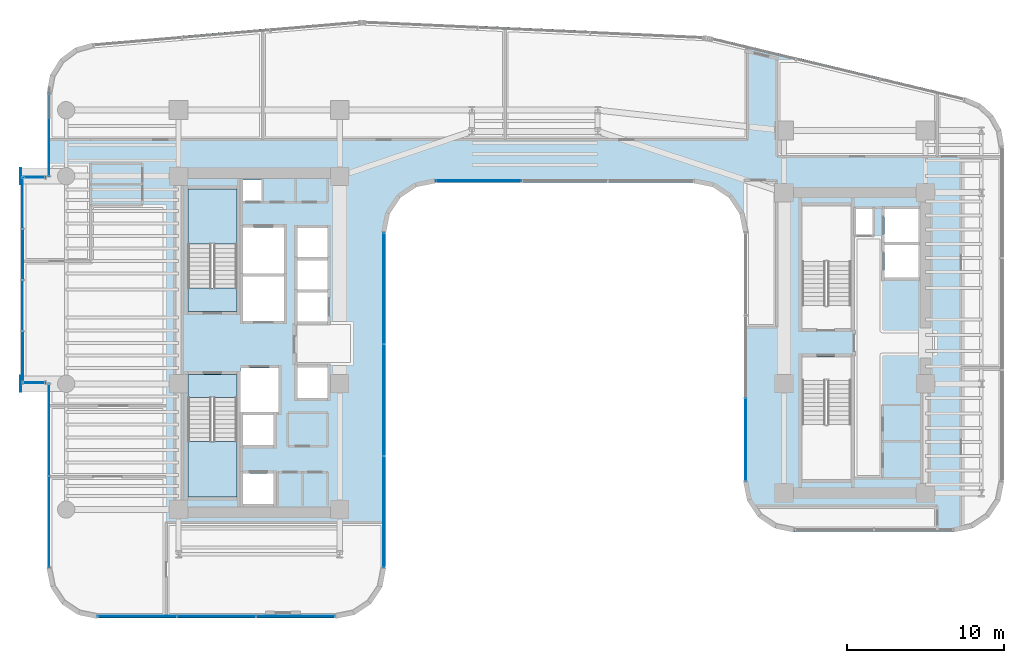
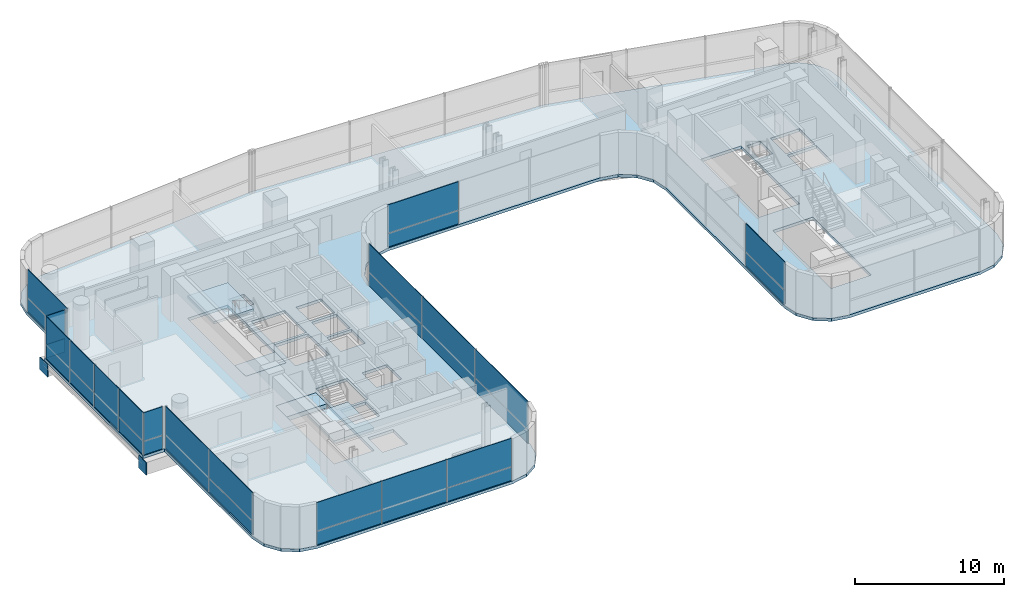
# One storey, part 24 of 34: 31 plates, 5 slabs, 11 elements without a shape of their own.
"""IFC4 building model written with IfcOpenShell, lengths in metres."""

from ifc_helpers import new_model, si_unit, direction, frame, origin, origin_2d, place, context, subcontext, project, spatial, polyline, rectangle, outline, extrude, source, transform, mapped, material, layer, layer_set, type_object, element, aggregate, save


model = new_model("IFC4")

# Units and contexts
model_context = context("Model", 3, precision=1e-05, world=origin(), true_north=direction((0.0, 1.0)))
body_context = subcontext(model_context, "Body", "Model", "MODEL_VIEW")
ifc_project = project(units=[si_unit("LENGTHUNIT", "METRE"), si_unit("AREAUNIT", "SQUARE_METRE"), si_unit("VOLUMEUNIT", "CUBIC_METRE"), si_unit("PLANEANGLEUNIT", "RADIAN"), si_unit("MASSUNIT", "GRAM", prefix="KILO")], contexts=[model_context])

# Site, building, storey
site_placement = place(None, origin())
site = spatial("IfcSite", under=ifc_project, at=site_placement, CompositionType="ELEMENT")
building_placement = place(site_placement, origin())
building = spatial("IfcBuilding", under=site, at=building_placement, Name="Valdorenza Pilgrim Sanctuary Tower", CompositionType="ELEMENT")
storey_placement = place(building_placement, frame((0.0, 0.0, 146.39990234375)))
storey = spatial("IfcBuildingStorey", under=building, at=storey_placement, Name="L37", CompositionType="ELEMENT", Elevation=146.39990234375)

# Slab
ifc_material_1 = material(Name="Concrete C40/50", Category="concrete")
ifc_layer_1 = layer(ifc_material_1, 0.239990234375, Name="Concrete C40/50")
ifc_layer_set_1 = layer_set([ifc_layer_1], Name="Concrete C40/50")
slab_type_1 = type_object("IfcSlabType", Name="SLAB-FLR-220", PredefinedType="FLOOR", material=ifc_layer_set_1)
slab_1_placement = place(storey_placement, frame((0.0, 0.0, -0.239990234375)))
element("IfcSlab", 1, at=slab_1_placement, inside=storey, type_object=slab_type_1, Name="L37 Structural Floor Slab 1", PredefinedType="FLOOR", context=body_context, shape_type="SweptSolid", body=[
    extrude(outline(polyline([(-30.78173828125, 17.022216796875), (-30.156494140625, 18.025390625), (-29.2099609375, 18.733154296875), (-28.071044921875, 19.049072265625), (-11.2080078125, 20.482421875), (-11.10400390625, 20.489501953125), (-10.895751953125, 20.49365234375), (10.6962890625, 19.513916015625), (10.847412109375, 19.50341796875), (10.998046875, 19.485595703125), (11.147705078125, 19.4609375), (11.2958984375, 19.42919921875), (27.344970703125, 15.587646484375), (28.323974609375, 15.17138671875), (29.1123046875, 14.45751953125), (29.623291015625, 13.5244140625), (29.800048828125, 12.4755859375), (29.800048828125, -8.800048828125), (29.556396484375, -10.024658203125), (28.86279296875, -11.062744140625), (27.82470703125, -11.75634765625), (26.60009765625, -12.0), (16.5, -12.0), (15.275390625, -11.75634765625), (14.2373046875, -11.062744140625), (13.543701171875, -10.024658203125), (13.300048828125, -8.800048828125), (13.300048828125, 7.0), (13.056396484375, 8.224609375), (12.36279296875, 9.2626953125), (11.32470703125, 9.956298828125), (10.10009765625, 10.199951171875), (-6.300048828125, 10.199951171875), (-7.524658203125, 9.956298828125), (-8.562744140625, 9.2626953125), (-9.25634765625, 8.224609375), (-9.5, 7.0), (-9.5, -14.300048828125), (-9.74365234375, -15.524658203125), (-10.437255859375, -16.562744140625), (-11.475341796875, -17.25634765625), (-12.699951171875, -17.5), (-27.800048828125, -17.5), (-29.024658203125, -17.25634765625), (-30.062744140625, -16.562744140625), (-30.75634765625, -15.524658203125), (-31.0, -14.300048828125), (-31.0, -2.60009765625), (-32.64990234375, -2.60009765625), (-32.64990234375, 10.60009765625), (-31.0, 10.60009765625), (-31.0, 15.860595703125), (-30.78173828125, 17.022216796875)]), holes=[polyline([(-16.60009765625, -10.25), (-16.60009765625, -8.300048828125), (-18.550048828125, -8.300048828125), (-18.550048828125, -10.25), (-16.60009765625, -10.25)]), polyline([(-22.050048828125, -9.800048828125), (-18.93994140625, -9.800048828125), (-18.93994140625, -3.485107421875), (-18.93994140625, -2.0), (-22.050048828125, -2.0), (-22.050048828125, -3.485107421875), (-22.050048828125, -9.800048828125)]), polyline([(-16.60009765625, -6.5), (-16.60009765625, -4.60009765625), (-18.550048828125, -4.60009765625), (-18.550048828125, -6.5), (-16.60009765625, -6.5)]), polyline([(-18.719970703125, -4.39990234375), (-16.300048828125, -4.39990234375), (-16.300048828125, -1.60009765625), (-18.719970703125, -1.60009765625), (-18.719970703125, -4.39990234375)]), polyline([(-13.179931640625, 1.35009765625), (-13.179931640625, 3.199951171875), (-15.10009765625, 3.199951171875), (-15.10009765625, 1.35009765625), (-13.179931640625, 1.35009765625)]), polyline([(-22.050048828125, 2.0), (-18.93994140625, 2.0), (-18.93994140625, 3.485107421875), (-18.93994140625, 9.800048828125), (-22.050048828125, 9.800048828125), (-22.050048828125, 3.485107421875), (-22.050048828125, 2.0)]), polyline([(-15.949951171875, 1.39990234375), (-15.949951171875, 4.22509765625), (-18.550048828125, 4.22509765625), (-18.550048828125, 1.39990234375), (-15.949951171875, 1.39990234375)]), polyline([(-18.550048828125, 4.425048828125), (-15.949951171875, 4.425048828125), (-15.949951171875, 7.35009765625), (-18.550048828125, 7.35009765625), (-18.550048828125, 4.425048828125)]), polyline([(-17.360107421875, 9.030029296875), (-17.360107421875, 10.35009765625), (-18.570068359375, 10.35009765625), (-18.570068359375, 9.030029296875), (-17.360107421875, 9.030029296875)]), polyline([(17.0, -8.699951171875), (20.110107421875, -8.699951171875), (20.110107421875, -2.385009765625), (20.110107421875, -0.89990234375), (17.0, -0.89990234375), (17.0, -2.385009765625), (17.0, -8.699951171875)]), polyline([(-13.179931640625, -3.5), (-13.179931640625, -1.550048828125), (-15.10009765625, -1.550048828125), (-15.10009765625, -3.5), (-13.179931640625, -3.5)]), polyline([(17.0, 0.89990234375), (20.110107421875, 0.89990234375), (20.110107421875, 2.385009765625), (20.110107421875, 8.699951171875), (17.0, 8.699951171875), (17.0, 2.385009765625), (17.0, 0.89990234375)]), polyline([(-13.179931640625, 3.39990234375), (-13.179931640625, 5.25), (-15.10009765625, 5.25), (-15.10009765625, 3.39990234375), (-13.179931640625, 3.39990234375)]), polyline([(22.25, 4.14990234375), (24.47998046875, 4.14990234375), (24.47998046875, 6.22509765625), (22.25, 6.22509765625), (22.25, 4.14990234375)]), polyline([(-13.179931640625, 5.449951171875), (-13.179931640625, 7.300048828125), (-15.10009765625, 7.300048828125), (-15.10009765625, 5.449951171875), (-13.179931640625, 5.449951171875)]), polyline([(22.25, 6.425048828125), (24.47998046875, 6.425048828125), (24.47998046875, 8.5), (22.25, 8.5), (22.25, 6.425048828125)]), polyline([(20.409912109375, 6.860107421875), (21.489990234375, 6.860107421875), (21.489990234375, 8.52001953125), (20.409912109375, 8.52001953125), (20.409912109375, 6.860107421875)])]), origin(), (0.0, 0.0, 1.0), 0.239990234375),
])

# Stair, slab
stair_type = type_object("IfcStairType", Name="STR-DOG-CORE", PredefinedType="HALF_TURN_STAIR", material=ifc_material_1)
stair_1_placement = place(storey_placement, origin())
stair_1 = element("IfcStair", 2, at=stair_1_placement, inside=storey, type_object=stair_type, Name="L37 ST-A1", PredefinedType="HALF_TURN_STAIR")
ifc_layer_2 = layer(ifc_material_1, 0.199951171875, Name="Concrete C40/50")
ifc_layer_set_2 = layer_set([ifc_layer_2], Name="Concrete C40/50")
slab_type_2 = type_object("IfcSlabType", Name="SLAB-STL-200", PredefinedType="LANDING", material=ifc_layer_set_2)
slab_2_placement = place(storey_placement, frame((0.0, 0.0, 1.650146484375)))
slab_2 = element("IfcSlab", 3, at=slab_2_placement, type_object=slab_type_2, Name="ST-A1 landing 1", PredefinedType="LANDING", context=body_context, shape_type="SweptSolid", body=[
    extrude(outline(polyline([(-18.93994140625, 6.280029296875), (-18.93994140625, 9.800048828125), (-22.050048828125, 9.800048828125), (-22.050048828125, 6.280029296875), (-18.93994140625, 6.280029296875)])), origin(), (0.0, 0.0, 1.0), 0.199951171875),
])
aggregate(stair_1, [slab_2])

stair_2_placement = place(storey_placement, origin())
stair_2 = element("IfcStair", 4, at=stair_2_placement, inside=storey, type_object=stair_type, Name="L37 ST-A2", PredefinedType="HALF_TURN_STAIR")
slab_3_placement = place(storey_placement, frame((0.0, 0.0, 1.650146484375)))
slab_3 = element("IfcSlab", 5, at=slab_3_placement, type_object=slab_type_2, Name="ST-A2 landing 1", PredefinedType="LANDING", context=body_context, shape_type="SweptSolid", body=[
    extrude(outline(polyline([(-22.050048828125, -6.280029296875), (-22.050048828125, -9.800048828125), (-18.93994140625, -9.800048828125), (-18.93994140625, -6.280029296875), (-22.050048828125, -6.280029296875)])), origin(), (0.0, 0.0, 1.0), 0.199951171875),
])
aggregate(stair_2, [slab_3])

# Slabs
ifc_material_2 = material(Name="Concrete C50/60", Category="concrete")
ifc_layer_3 = layer(ifc_material_2, 0.39990234375, Name="Concrete C50/60")
ifc_layer_set_3 = layer_set([ifc_layer_3], Name="Concrete C50/60")
slab_type_3 = type_object("IfcSlabType", Name="SLAB-TRF-400", PredefinedType="FLOOR", material=ifc_layer_set_3)
slab_4_placement = place(storey_placement, frame((0.0, 0.0, -0.35986328125)))
element("IfcSlab", 6, at=slab_4_placement, inside=storey, type_object=slab_type_3, Name="L37 ST-A1 Structural Stair Landing Bearing Slab", PredefinedType="FLOOR", context=body_context, shape_type="SweptSolid", body=[
    extrude(outline(polyline([(-22.050048828125, 2.0), (-18.93994140625, 2.0), (-18.93994140625, 3.485107421875), (-22.050048828125, 3.485107421875), (-22.050048828125, 2.0)])), origin(), (0.0, 0.0, 1.0), 0.35986328125),
])
slab_5_placement = place(storey_placement, frame((0.0, 0.0, -0.35986328125)))
element("IfcSlab", 7, at=slab_5_placement, inside=storey, type_object=slab_type_3, Name="L37 ST-A2 Structural Stair Landing Bearing Slab", PredefinedType="FLOOR", context=body_context, shape_type="SweptSolid", body=[
    extrude(outline(polyline([(-22.050048828125, -3.485107421875), (-18.93994140625, -3.485107421875), (-18.93994140625, -2.0), (-22.050048828125, -2.0), (-22.050048828125, -3.485107421875)])), origin(), (0.0, 0.0, 1.0), 0.35986328125),
])

# Plates
ifc_material_3 = material(Name="Steel ASTM A572 Grade 42", Category="steel")
ifc_layer_4 = layer(ifc_material_3, 0.06005859375, Name="Steel ASTM A572 Grade 42")
ifc_layer_set_4 = layer_set([ifc_layer_4], Name="Steel ASTM A572 Grade 42")
plate_type_1 = type_object("IfcPlateType", Name="PLT-CAP-60", PredefinedType="SHEET", material=ifc_layer_set_4)
shared_shape_1 = source(origin(), body_context, "Body", "SweptSolid", [
    extrude(rectangle(XDim=0.06005859375, YDim=1.0400390625, at=origin_2d()), origin(), (0.0, 0.0, 1.0), 1.0400390625),
])
for number, where, z_axis, x_axis, name in (
    (8, (-32.679931640625, 10.60009765625, -1.260009765625), (0.0, 0.0, 1.0), (1.0, 0.0, 0.0), "L37 BOX-WA-L37 Cantilever Tip End Cap N"),
    (9, (-32.679931640625, -2.60009765625, -1.260009765625), (0.0, 0.0, 1.0), (1.0, 0.0, 0.0), "L37 BOX-WA-L37 Cantilever Tip End Cap S"),
):
    element("IfcPlate", number, at=place(storey_placement, frame(where, z_axis=z_axis, x_axis=x_axis)), inside=storey, type_object=plate_type_1, Name=name, PredefinedType="SHEET", context=body_context, shape_type="MappedRepresentation", body=[
        mapped(shared_shape_1, transform((0.0, 0.0, 0.0), x_axis=(1.0, 0.0, 0.0), y_axis=(0.0, 1.0, 0.0), z_axis=(0.0, 0.0, 1.0), scale=1.0)),
    ])

# Curtain wall, plates
ifc_material_4 = material(Name="Curtain-wall IGU glazing", Category="glass")
curtain_wall_type_1 = type_object("IfcCurtainWallType", Name="CW-SYS-02", PredefinedType="NOTDEFINED", material=ifc_material_4)
curtain_wall_1_placement = place(storey_placement, origin())
curtain_wall_1 = element("IfcCurtainWall", 10, at=curtain_wall_1_placement, inside=storey, type_object=curtain_wall_type_1, Name="L37 Curtain Wall CW-L37-1-36", PredefinedType="NOTDEFINED")
ifc_material_5 = material(Name="Honed travertine limestone", Category="masonry")
ifc_layer_5 = layer(ifc_material_5, 0.050048828125, Name="Honed travertine limestone")
ifc_layer_set_5 = layer_set([ifc_layer_5], Name="Honed travertine limestone")
plate_type_2 = type_object("IfcPlateType", Name="CW-SPN-TRV", PredefinedType="USERDEFINED", material=ifc_layer_set_5)
shared_shape_2 = source(origin(), body_context, "Body", "SweptSolid", [
    extrude(rectangle(XDim=5.453857421875, YDim=0.06005859375, at=origin_2d()), origin(), (0.0, 0.0, 1.0), 1.10009765625),
])
plate_1_placement = place(storey_placement, frame((-3.573974609375, 10.31005859375, 0.010009765625), z_axis=(0.0, 0.0, 1.0), x_axis=(-1.0, 0.0, 0.0)))
plate_1 = element("IfcPlate", 11, at=plate_1_placement, type_object=plate_type_2, Name="CW-L37-1-36 Travertine Spandrel 3", ObjectType="SPANDREL", PredefinedType="USERDEFINED", context=body_context, shape_type="MappedRepresentation", body=[
    mapped(shared_shape_2, transform((0.0, 0.0, 0.0), x_axis=(1.0, 0.0, 0.0), y_axis=(0.0, 1.0, 0.0), z_axis=(0.0, 0.0, 1.0), scale=1.0)),
])
ifc_material_6 = material(Name="Ceramic-fritted low-E IGU glazing", Category="glass")
ifc_layer_6 = layer(ifc_material_6, 0.035888671875, Name="Ceramic-fritted low-E IGU glazing")
ifc_layer_set_6 = layer_set([ifc_layer_6], Name="Ceramic-fritted low-E IGU glazing")
plate_type_3 = type_object("IfcPlateType", Name="CW-GLZ-IGU", PredefinedType="USERDEFINED", material=ifc_layer_set_6)
shared_shape_3 = source(origin(), body_context, "Body", "SweptSolid", [
    extrude(rectangle(XDim=5.453857421875, YDim=0.050048828125, at=origin_2d()), origin(), (0.0, 0.0, 1.0), 2.320068359375),
])
plate_2_placement = place(storey_placement, frame((-3.573974609375, 10.31005859375, 1.1298828125), z_axis=(0.0, 0.0, 1.0), x_axis=(-1.0, 0.0, 0.0)))
plate_2 = element("IfcPlate", 12, at=plate_2_placement, type_object=plate_type_3, Name="CW-L37-1-36 Facade Panel 3", ObjectType="GLAZING", PredefinedType="USERDEFINED", context=body_context, shape_type="MappedRepresentation", body=[
    mapped(shared_shape_3, transform((0.0, 0.0, 0.0), x_axis=(1.0, 0.0, 0.0), y_axis=(0.0, 1.0, 0.0), z_axis=(0.0, 0.0, 1.0), scale=1.0)),
])
aggregate(curtain_wall_1, [plate_1, plate_2])

# Curtain wall, plate
curtain_wall_2_placement = place(storey_placement, origin())
curtain_wall_2 = element("IfcCurtainWall", 13, at=curtain_wall_2_placement, inside=storey, type_object=curtain_wall_type_1, Name="L37 Curtain Wall CW-L37-BOX-WA-L37-S", PredefinedType="NOTDEFINED")
shared_shape_4 = source(origin(), body_context, "Body", "SweptSolid", [
    extrude(rectangle(XDim=1.43994140625, YDim=0.06005859375, at=origin_2d()), origin(), (0.0, 0.0, 1.0), 1.10009765625),
])
plate_3_placement = place(storey_placement, frame((-31.840087890625, -2.52001953125, 0.010009765625), z_axis=(0.0, 0.0, 1.0), x_axis=(-1.0, 0.0, 0.0)))
plate_3 = element("IfcPlate", 14, at=plate_3_placement, type_object=plate_type_2, Name="CW-L37-BOX-WA-L37-S Travertine Spandrel 1", ObjectType="SPANDREL", PredefinedType="USERDEFINED", context=body_context, shape_type="MappedRepresentation", body=[
    mapped(shared_shape_4, transform((0.0, 0.0, 0.0), x_axis=(1.0, 0.0, 0.0), y_axis=(0.0, 1.0, 0.0), z_axis=(0.0, 0.0, 1.0), scale=1.0)),
])

curtain_wall_3_placement = place(storey_placement, origin())
curtain_wall_3 = element("IfcCurtainWall", 15, at=curtain_wall_3_placement, inside=storey, type_object=curtain_wall_type_1, Name="L37 Curtain Wall CW-L37-BOX-WA-L37-N", PredefinedType="NOTDEFINED")
plate_4_placement = place(storey_placement, frame((-31.840087890625, 10.52001953125, 0.010009765625), z_axis=(0.0, 0.0, 1.0), x_axis=(1.0, 0.0, 0.0)))
plate_4 = element("IfcPlate", 16, at=plate_4_placement, type_object=plate_type_2, Name="CW-L37-BOX-WA-L37-N Travertine Spandrel 1", ObjectType="SPANDREL", PredefinedType="USERDEFINED", context=body_context, shape_type="MappedRepresentation", body=[
    mapped(shared_shape_4, transform((0.0, 0.0, 0.0), x_axis=(1.0, 0.0, 0.0), y_axis=(0.0, 1.0, 0.0), z_axis=(0.0, 0.0, 1.0), scale=1.0)),
])

# Plate
shared_shape_5 = source(origin(), body_context, "Body", "SweptSolid", [
    extrude(rectangle(XDim=1.43994140625, YDim=0.050048828125, at=origin_2d()), origin(), (0.0, 0.0, 1.0), 2.320068359375),
])
plate_5_placement = place(storey_placement, frame((-31.840087890625, -2.52001953125, 1.1298828125), z_axis=(0.0, 0.0, 1.0), x_axis=(-1.0, 0.0, 0.0)))
plate_5 = element("IfcPlate", 17, at=plate_5_placement, type_object=plate_type_3, Name="CW-L37-BOX-WA-L37-S Facade Panel 1", ObjectType="GLAZING", PredefinedType="USERDEFINED", context=body_context, shape_type="MappedRepresentation", body=[
    mapped(shared_shape_5, transform((0.0, 0.0, 0.0), x_axis=(1.0, 0.0, 0.0), y_axis=(0.0, 1.0, 0.0), z_axis=(0.0, 0.0, 1.0), scale=1.0)),
])

aggregate(curtain_wall_2, [plate_3, plate_5])

plate_6_placement = place(storey_placement, frame((-31.840087890625, 10.52001953125, 1.1298828125), z_axis=(0.0, 0.0, 1.0), x_axis=(1.0, 0.0, 0.0)))
plate_6 = element("IfcPlate", 18, at=plate_6_placement, type_object=plate_type_3, Name="CW-L37-BOX-WA-L37-N Facade Panel 1", ObjectType="GLAZING", PredefinedType="USERDEFINED", context=body_context, shape_type="MappedRepresentation", body=[
    mapped(shared_shape_5, transform((0.0, 0.0, 0.0), x_axis=(1.0, 0.0, 0.0), y_axis=(0.0, 1.0, 0.0), z_axis=(0.0, 0.0, 1.0), scale=1.0)),
])

aggregate(curtain_wall_3, [plate_4, plate_6])

# Curtain wall, plates
curtain_wall_4_placement = place(storey_placement, origin())
curtain_wall_4 = element("IfcCurtainWall", 19, at=curtain_wall_4_placement, inside=storey, type_object=curtain_wall_type_1, Name="L37 Curtain Wall CW-L37-BOX-WA-L37-F", PredefinedType="NOTDEFINED")
shared_shape_6 = source(origin(), body_context, "Body", "SweptSolid", [
    extrude(rectangle(XDim=3.239990234375, YDim=0.06005859375, at=origin_2d()), origin(), (0.0, 0.0, 1.0), 1.10009765625),
])
plate_7_placement = place(storey_placement, frame((-32.570068359375, -0.889892578125, 0.010009765625), z_axis=(0.0, 0.0, 1.0), x_axis=(0.0, 1.0, 0.0)))
plate_7 = element("IfcPlate", 20, at=plate_7_placement, type_object=plate_type_2, Name="CW-L37-BOX-WA-L37-F Travertine Spandrel 1", ObjectType="SPANDREL", PredefinedType="USERDEFINED", context=body_context, shape_type="MappedRepresentation", body=[
    mapped(shared_shape_6, transform((0.0, 0.0, 0.0), x_axis=(1.0, 0.0, 0.0), y_axis=(0.0, 1.0, 0.0), z_axis=(0.0, 0.0, 1.0), scale=1.0)),
])
plate_8_placement = place(storey_placement, frame((-32.570068359375, 5.6298828125, 0.010009765625), z_axis=(0.0, 0.0, 1.0), x_axis=(0.0, 1.0, 0.0)))
plate_8 = element("IfcPlate", 21, at=plate_8_placement, type_object=plate_type_2, Name="CW-L37-BOX-WA-L37-F Travertine Spandrel 3", ObjectType="SPANDREL", PredefinedType="USERDEFINED", context=body_context, shape_type="MappedRepresentation", body=[
    mapped(shared_shape_6, transform((0.0, 0.0, 0.0), x_axis=(1.0, 0.0, 0.0), y_axis=(0.0, 1.0, 0.0), z_axis=(0.0, 0.0, 1.0), scale=1.0)),
])
shared_shape_7 = source(origin(), body_context, "Body", "SweptSolid", [
    extrude(rectangle(XDim=3.239990234375, YDim=0.050048828125, at=origin_2d()), origin(), (0.0, 0.0, 1.0), 2.320068359375),
])
plate_9_placement = place(storey_placement, frame((-32.570068359375, -0.889892578125, 1.1298828125), z_axis=(0.0, 0.0, 1.0), x_axis=(0.0, 1.0, 0.0)))
plate_9 = element("IfcPlate", 22, at=plate_9_placement, type_object=plate_type_3, Name="CW-L37-BOX-WA-L37-F Facade Panel 1", ObjectType="GLAZING", PredefinedType="USERDEFINED", context=body_context, shape_type="MappedRepresentation", body=[
    mapped(shared_shape_7, transform((0.0, 0.0, 0.0), x_axis=(1.0, 0.0, 0.0), y_axis=(0.0, 1.0, 0.0), z_axis=(0.0, 0.0, 1.0), scale=1.0)),
])
plate_10_placement = place(storey_placement, frame((-32.570068359375, 5.6298828125, 1.1298828125), z_axis=(0.0, 0.0, 1.0), x_axis=(0.0, 1.0, 0.0)))
plate_10 = element("IfcPlate", 23, at=plate_10_placement, type_object=plate_type_3, Name="CW-L37-BOX-WA-L37-F Facade Panel 3", ObjectType="GLAZING", PredefinedType="USERDEFINED", context=body_context, shape_type="MappedRepresentation", body=[
    mapped(shared_shape_7, transform((0.0, 0.0, 0.0), x_axis=(1.0, 0.0, 0.0), y_axis=(0.0, 1.0, 0.0), z_axis=(0.0, 0.0, 1.0), scale=1.0)),
])
shared_shape_8 = source(origin(), body_context, "Body", "SweptSolid", [
    extrude(rectangle(XDim=3.239990234375, YDim=0.050048828125, at=origin_2d()), origin(), (0.0, 0.0, 1.0), 3.43994140625),
])
plate_11_placement = place(storey_placement, frame((-32.570068359375, 2.3701171875, 0.010009765625), z_axis=(0.0, 0.0, 1.0), x_axis=(0.0, 1.0, 0.0)))
plate_11 = element("IfcPlate", 24, at=plate_11_placement, type_object=plate_type_3, Name="CW-L37-BOX-WA-L37-F Full-Height Facade Panel 2", ObjectType="GLAZING", PredefinedType="USERDEFINED", context=body_context, shape_type="MappedRepresentation", body=[
    mapped(shared_shape_8, transform((0.0, 0.0, 0.0), x_axis=(1.0, 0.0, 0.0), y_axis=(0.0, 1.0, 0.0), z_axis=(0.0, 0.0, 1.0), scale=1.0)),
])
plate_12_placement = place(storey_placement, frame((-32.570068359375, 8.889892578125, 0.010009765625), z_axis=(0.0, 0.0, 1.0), x_axis=(0.0, 1.0, 0.0)))
plate_12 = element("IfcPlate", 25, at=plate_12_placement, type_object=plate_type_3, Name="CW-L37-BOX-WA-L37-F Full-Height Facade Panel 4", ObjectType="GLAZING", PredefinedType="USERDEFINED", context=body_context, shape_type="MappedRepresentation", body=[
    mapped(shared_shape_8, transform((0.0, 0.0, 0.0), x_axis=(1.0, 0.0, 0.0), y_axis=(0.0, 1.0, 0.0), z_axis=(0.0, 0.0, 1.0), scale=1.0)),
])
aggregate(curtain_wall_4, [plate_7, plate_9, plate_11, plate_8, plate_10, plate_12])

# Curtain wall, plate
curtain_wall_type_2 = type_object("IfcCurtainWallType", Name="CW-SYS-03", PredefinedType="NOTDEFINED", material=ifc_material_4)
curtain_wall_5_placement = place(storey_placement, origin())
curtain_wall_5 = element("IfcCurtainWall", 26, at=curtain_wall_5_placement, inside=storey, type_object=curtain_wall_type_2, Name="L37 Curtain Wall CW-L37-1-31", PredefinedType="NOTDEFINED")
shared_shape_9 = source(origin(), body_context, "Body", "SweptSolid", [
    extrude(rectangle(XDim=5.24658203125, YDim=0.06005859375, at=origin_2d()), origin(), (0.0, 0.0, 1.0), 1.10009765625),
])
plate_13_placement = place(storey_placement, frame((13.409912109375, -6.156005859375, 0.010009765625), z_axis=(0.0, 0.0, 1.0), x_axis=(0.0, 1.0, 0.0)))
plate_13 = element("IfcPlate", 27, at=plate_13_placement, type_object=plate_type_2, Name="CW-L37-1-31 Travertine Spandrel 1", ObjectType="SPANDREL", PredefinedType="USERDEFINED", context=body_context, shape_type="MappedRepresentation", body=[
    mapped(shared_shape_9, transform((0.0, 0.0, 0.0), x_axis=(1.0, 0.0, 0.0), y_axis=(0.0, 1.0, 0.0), z_axis=(0.0, 0.0, 1.0), scale=1.0)),
])

# Curtain wall, plates
curtain_wall_6_placement = place(storey_placement, origin())
curtain_wall_6 = element("IfcCurtainWall", 28, at=curtain_wall_6_placement, inside=storey, type_object=curtain_wall_type_1, Name="L37 Curtain Wall CW-L37-1-41", PredefinedType="NOTDEFINED")
shared_shape_10 = source(origin(), body_context, "Body", "SweptSolid", [
    extrude(rectangle(XDim=7.080078125, YDim=0.06005859375, at=origin_2d()), origin(), (0.0, 0.0, 1.0), 1.10009765625),
])
plate_14_placement = place(storey_placement, frame((-9.610107421875, 3.460693359375, 0.010009765625), z_axis=(0.0, 0.0, 1.0), x_axis=(0.0, -1.0, 0.0)))
plate_14 = element("IfcPlate", 29, at=plate_14_placement, type_object=plate_type_2, Name="CW-L37-1-41 Travertine Spandrel 1", ObjectType="SPANDREL", PredefinedType="USERDEFINED", context=body_context, shape_type="MappedRepresentation", body=[
    mapped(shared_shape_10, transform((0.0, 0.0, 0.0), x_axis=(1.0, 0.0, 0.0), y_axis=(0.0, 1.0, 0.0), z_axis=(0.0, 0.0, 1.0), scale=1.0)),
])
plate_15_placement = place(storey_placement, frame((-9.610107421875, -10.7392578125, 0.010009765625), z_axis=(0.0, 0.0, 1.0), x_axis=(0.0, -1.0, 0.0)))
plate_15 = element("IfcPlate", 30, at=plate_15_placement, type_object=plate_type_2, Name="CW-L37-1-41 Travertine Spandrel 3", ObjectType="SPANDREL", PredefinedType="USERDEFINED", context=body_context, shape_type="MappedRepresentation", body=[
    mapped(shared_shape_10, transform((0.0, 0.0, 0.0), x_axis=(1.0, 0.0, 0.0), y_axis=(0.0, 1.0, 0.0), z_axis=(0.0, 0.0, 1.0), scale=1.0)),
])

curtain_wall_7_placement = place(storey_placement, origin())
curtain_wall_7 = element("IfcCurtainWall", 31, at=curtain_wall_7_placement, inside=storey, type_object=curtain_wall_type_1, Name="L37 Curtain Wall CW-L37-1-1S1", PredefinedType="NOTDEFINED")
shared_shape_11 = source(origin(), body_context, "Body", "SweptSolid", [
    extrude(rectangle(XDim=5.82470703125, YDim=0.06005859375, at=origin_2d()), origin(), (0.0, 0.0, 1.0), 1.10009765625),
])
plate_16_placement = place(storey_placement, frame((-30.889892578125, -11.366943359375, 0.010009765625), z_axis=(0.0, 0.0, 1.0), x_axis=(0.0, 1.0, 0.0)))
plate_16 = element("IfcPlate", 32, at=plate_16_placement, type_object=plate_type_2, Name="CW-L37-1-1S1 Travertine Spandrel 1", ObjectType="SPANDREL", PredefinedType="USERDEFINED", context=body_context, shape_type="MappedRepresentation", body=[
    mapped(shared_shape_11, transform((0.0, 0.0, 0.0), x_axis=(1.0, 0.0, 0.0), y_axis=(0.0, 1.0, 0.0), z_axis=(0.0, 0.0, 1.0), scale=1.0)),
])
shared_shape_12 = source(origin(), body_context, "Body", "SweptSolid", [
    extrude(rectangle(XDim=5.82470703125, YDim=0.050048828125, at=origin_2d()), origin(), (0.0, 0.0, 1.0), 2.320068359375),
])
plate_17_placement = place(storey_placement, frame((-30.889892578125, -11.366943359375, 1.1298828125), z_axis=(0.0, 0.0, 1.0), x_axis=(0.0, 1.0, 0.0)))
plate_17 = element("IfcPlate", 33, at=plate_17_placement, type_object=plate_type_3, Name="CW-L37-1-1S1 Facade Panel 1", ObjectType="GLAZING", PredefinedType="USERDEFINED", context=body_context, shape_type="MappedRepresentation", body=[
    mapped(shared_shape_12, transform((0.0, 0.0, 0.0), x_axis=(1.0, 0.0, 0.0), y_axis=(0.0, 1.0, 0.0), z_axis=(0.0, 0.0, 1.0), scale=1.0)),
])
shared_shape_13 = source(origin(), body_context, "Body", "SweptSolid", [
    extrude(rectangle(XDim=5.82470703125, YDim=0.050048828125, at=origin_2d()), origin(), (0.0, 0.0, 1.0), 3.43994140625),
])
plate_18_placement = place(storey_placement, frame((-30.889892578125, -5.522216796875, 0.010009765625), z_axis=(0.0, 0.0, 1.0), x_axis=(0.0, 1.0, 0.0)))
plate_18 = element("IfcPlate", 34, at=plate_18_placement, type_object=plate_type_3, Name="CW-L37-1-1S1 Full-Height Facade Panel 2", ObjectType="GLAZING", PredefinedType="USERDEFINED", context=body_context, shape_type="MappedRepresentation", body=[
    mapped(shared_shape_13, transform((0.0, 0.0, 0.0), x_axis=(1.0, 0.0, 0.0), y_axis=(0.0, 1.0, 0.0), z_axis=(0.0, 0.0, 1.0), scale=1.0)),
])
aggregate(curtain_wall_7, [plate_16, plate_17, plate_18])

curtain_wall_8_placement = place(storey_placement, origin())
curtain_wall_8 = element("IfcCurtainWall", 35, at=curtain_wall_8_placement, inside=storey, type_object=curtain_wall_type_1, Name="L37 Curtain Wall CW-L37-1-1S2", PredefinedType="NOTDEFINED")
shared_shape_14 = source(origin(), body_context, "Body", "SweptSolid", [
    extrude(rectangle(XDim=5.230224609375, YDim=0.06005859375, at=origin_2d()), origin(), (0.0, 0.0, 1.0), 1.10009765625),
])
plate_19_placement = place(storey_placement, frame((-30.889892578125, 13.22509765625, 0.010009765625), z_axis=(0.0, 0.0, 1.0), x_axis=(0.0, 1.0, 0.0)))
plate_19 = element("IfcPlate", 36, at=plate_19_placement, type_object=plate_type_2, Name="CW-L37-1-1S2 Travertine Spandrel 1", ObjectType="SPANDREL", PredefinedType="USERDEFINED", context=body_context, shape_type="MappedRepresentation", body=[
    mapped(shared_shape_14, transform((0.0, 0.0, 0.0), x_axis=(1.0, 0.0, 0.0), y_axis=(0.0, 1.0, 0.0), z_axis=(0.0, 0.0, 1.0), scale=1.0)),
])
shared_shape_15 = source(origin(), body_context, "Body", "SweptSolid", [
    extrude(rectangle(XDim=5.230224609375, YDim=0.050048828125, at=origin_2d()), origin(), (0.0, 0.0, 1.0), 2.320068359375),
])
plate_20_placement = place(storey_placement, frame((-30.889892578125, 13.22509765625, 1.1298828125), z_axis=(0.0, 0.0, 1.0), x_axis=(0.0, 1.0, 0.0)))
plate_20 = element("IfcPlate", 37, at=plate_20_placement, type_object=plate_type_3, Name="CW-L37-1-1S2 Facade Panel 1", ObjectType="GLAZING", PredefinedType="USERDEFINED", context=body_context, shape_type="MappedRepresentation", body=[
    mapped(shared_shape_15, transform((0.0, 0.0, 0.0), x_axis=(1.0, 0.0, 0.0), y_axis=(0.0, 1.0, 0.0), z_axis=(0.0, 0.0, 1.0), scale=1.0)),
])
aggregate(curtain_wall_8, [plate_19, plate_20])

# Plate
shared_shape_16 = source(origin(), body_context, "Body", "SweptSolid", [
    extrude(rectangle(XDim=5.24658203125, YDim=0.050048828125, at=origin_2d()), origin(), (0.0, 0.0, 1.0), 2.320068359375),
])
plate_21_placement = place(storey_placement, frame((13.409912109375, -6.156005859375, 1.1298828125), z_axis=(0.0, 0.0, 1.0), x_axis=(0.0, 1.0, 0.0)))
plate_21 = element("IfcPlate", 38, at=plate_21_placement, type_object=plate_type_3, Name="CW-L37-1-31 Facade Panel 1", ObjectType="GLAZING", PredefinedType="USERDEFINED", context=body_context, shape_type="MappedRepresentation", body=[
    mapped(shared_shape_16, transform((0.0, 0.0, 0.0), x_axis=(1.0, 0.0, 0.0), y_axis=(0.0, 1.0, 0.0), z_axis=(0.0, 0.0, 1.0), scale=1.0)),
])

aggregate(curtain_wall_5, [plate_13, plate_21])

shared_shape_17 = source(origin(), body_context, "Body", "SweptSolid", [
    extrude(rectangle(XDim=7.080078125, YDim=0.050048828125, at=origin_2d()), origin(), (0.0, 0.0, 1.0), 2.320068359375),
])
plate_22_placement = place(storey_placement, frame((-9.610107421875, 3.460693359375, 1.1298828125), z_axis=(0.0, 0.0, 1.0), x_axis=(0.0, -1.0, 0.0)))
plate_22 = element("IfcPlate", 39, at=plate_22_placement, type_object=plate_type_3, Name="CW-L37-1-41 Facade Panel 1", ObjectType="GLAZING", PredefinedType="USERDEFINED", context=body_context, shape_type="MappedRepresentation", body=[
    mapped(shared_shape_17, transform((0.0, 0.0, 0.0), x_axis=(1.0, 0.0, 0.0), y_axis=(0.0, 1.0, 0.0), z_axis=(0.0, 0.0, 1.0), scale=1.0)),
])

plate_23_placement = place(storey_placement, frame((-9.610107421875, -10.7392578125, 1.1298828125), z_axis=(0.0, 0.0, 1.0), x_axis=(0.0, -1.0, 0.0)))
plate_23 = element("IfcPlate", 40, at=plate_23_placement, type_object=plate_type_3, Name="CW-L37-1-41 Facade Panel 3", ObjectType="GLAZING", PredefinedType="USERDEFINED", context=body_context, shape_type="MappedRepresentation", body=[
    mapped(shared_shape_17, transform((0.0, 0.0, 0.0), x_axis=(1.0, 0.0, 0.0), y_axis=(0.0, 1.0, 0.0), z_axis=(0.0, 0.0, 1.0), scale=1.0)),
])

shared_shape_18 = source(origin(), body_context, "Body", "SweptSolid", [
    extrude(rectangle(XDim=7.080078125, YDim=0.050048828125, at=origin_2d()), origin(), (0.0, 0.0, 1.0), 3.43994140625),
])
plate_24_placement = place(storey_placement, frame((-9.610107421875, -3.63916015625, 0.010009765625), z_axis=(0.0, 0.0, 1.0), x_axis=(0.0, -1.0, 0.0)))
plate_24 = element("IfcPlate", 41, at=plate_24_placement, type_object=plate_type_3, Name="CW-L37-1-41 Full-Height Facade Panel 2", ObjectType="GLAZING", PredefinedType="USERDEFINED", context=body_context, shape_type="MappedRepresentation", body=[
    mapped(shared_shape_18, transform((0.0, 0.0, 0.0), x_axis=(1.0, 0.0, 0.0), y_axis=(0.0, 1.0, 0.0), z_axis=(0.0, 0.0, 1.0), scale=1.0)),
])

aggregate(curtain_wall_6, [plate_14, plate_22, plate_24, plate_15, plate_23])

# Curtain wall, plates
curtain_wall_9_placement = place(storey_placement, origin())
curtain_wall_9 = element("IfcCurtainWall", 42, at=curtain_wall_9_placement, inside=storey, type_object=curtain_wall_type_1, Name="L37 Curtain Wall CW-L37-1-46", PredefinedType="NOTDEFINED")
shared_shape_19 = source(origin(), body_context, "Body", "SweptSolid", [
    extrude(rectangle(XDim=5.006103515625, YDim=0.06005859375, at=origin_2d()), origin(), (0.0, 0.0, 1.0), 1.10009765625),
])
plate_25_placement = place(storey_placement, frame((-15.223876953125, -17.389892578125, 0.010009765625), z_axis=(0.0, 0.0, 1.0), x_axis=(-1.0, 0.0, 0.0)))
plate_25 = element("IfcPlate", 43, at=plate_25_placement, type_object=plate_type_2, Name="CW-L37-1-46 Travertine Spandrel 1", ObjectType="SPANDREL", PredefinedType="USERDEFINED", context=body_context, shape_type="MappedRepresentation", body=[
    mapped(shared_shape_19, transform((0.0, 0.0, 0.0), x_axis=(1.0, 0.0, 0.0), y_axis=(0.0, 1.0, 0.0), z_axis=(0.0, 0.0, 1.0), scale=1.0)),
])
plate_26_placement = place(storey_placement, frame((-25.276123046875, -17.389892578125, 0.010009765625), z_axis=(0.0, 0.0, 1.0), x_axis=(-1.0, 0.0, 0.0)))
plate_26 = element("IfcPlate", 44, at=plate_26_placement, type_object=plate_type_2, Name="CW-L37-1-46 Travertine Spandrel 3", ObjectType="SPANDREL", PredefinedType="USERDEFINED", context=body_context, shape_type="MappedRepresentation", body=[
    mapped(shared_shape_19, transform((0.0, 0.0, 0.0), x_axis=(1.0, 0.0, 0.0), y_axis=(0.0, 1.0, 0.0), z_axis=(0.0, 0.0, 1.0), scale=1.0)),
])
shared_shape_20 = source(origin(), body_context, "Body", "SweptSolid", [
    extrude(rectangle(XDim=5.006103515625, YDim=0.050048828125, at=origin_2d()), origin(), (0.0, 0.0, 1.0), 2.320068359375),
])
plate_27_placement = place(storey_placement, frame((-15.223876953125, -17.389892578125, 1.1298828125), z_axis=(0.0, 0.0, 1.0), x_axis=(-1.0, 0.0, 0.0)))
plate_27 = element("IfcPlate", 45, at=plate_27_placement, type_object=plate_type_3, Name="CW-L37-1-46 Facade Panel 1", ObjectType="GLAZING", PredefinedType="USERDEFINED", context=body_context, shape_type="MappedRepresentation", body=[
    mapped(shared_shape_20, transform((0.0, 0.0, 0.0), x_axis=(1.0, 0.0, 0.0), y_axis=(0.0, 1.0, 0.0), z_axis=(0.0, 0.0, 1.0), scale=1.0)),
])
plate_28_placement = place(storey_placement, frame((-25.276123046875, -17.389892578125, 1.1298828125), z_axis=(0.0, 0.0, 1.0), x_axis=(-1.0, 0.0, 0.0)))
plate_28 = element("IfcPlate", 46, at=plate_28_placement, type_object=plate_type_3, Name="CW-L37-1-46 Facade Panel 3", ObjectType="GLAZING", PredefinedType="USERDEFINED", context=body_context, shape_type="MappedRepresentation", body=[
    mapped(shared_shape_20, transform((0.0, 0.0, 0.0), x_axis=(1.0, 0.0, 0.0), y_axis=(0.0, 1.0, 0.0), z_axis=(0.0, 0.0, 1.0), scale=1.0)),
])
shared_shape_21 = source(origin(), body_context, "Body", "SweptSolid", [
    extrude(rectangle(XDim=5.006103515625, YDim=0.050048828125, at=origin_2d()), origin(), (0.0, 0.0, 1.0), 3.43994140625),
])
plate_29_placement = place(storey_placement, frame((-20.25, -17.389892578125, 0.010009765625), z_axis=(0.0, 0.0, 1.0), x_axis=(-1.0, 0.0, 0.0)))
plate_29 = element("IfcPlate", 47, at=plate_29_placement, type_object=plate_type_3, Name="CW-L37-1-46 Full-Height Facade Panel 2", ObjectType="GLAZING", PredefinedType="USERDEFINED", context=body_context, shape_type="MappedRepresentation", body=[
    mapped(shared_shape_21, transform((0.0, 0.0, 0.0), x_axis=(1.0, 0.0, 0.0), y_axis=(0.0, 1.0, 0.0), z_axis=(0.0, 0.0, 1.0), scale=1.0)),
])
aggregate(curtain_wall_9, [plate_25, plate_27, plate_29, plate_26, plate_28])

save(model, "model.ifc")
